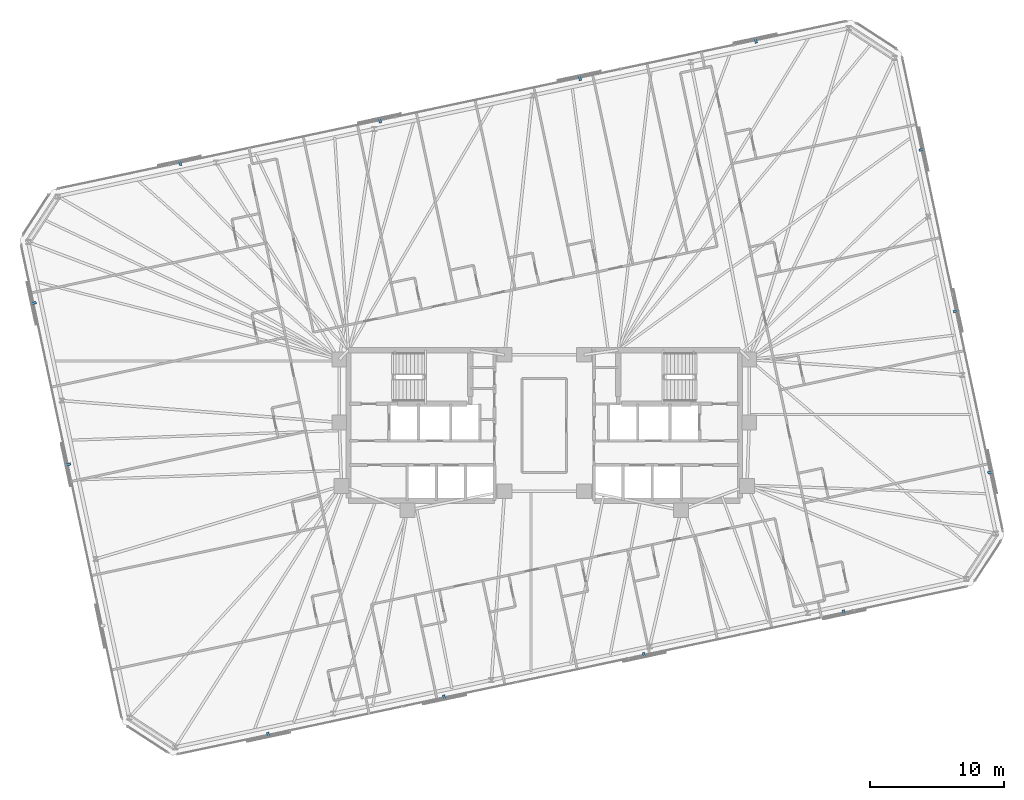
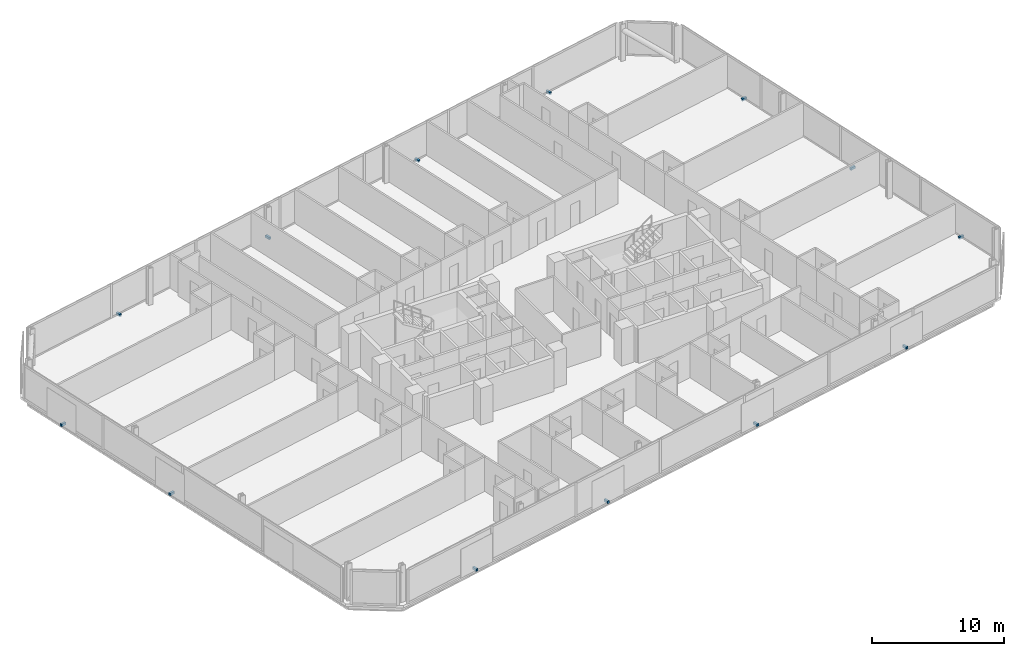
# One storey, part 20 of 21: 13 discrete accessories.
"""IFC4 building model written with IfcOpenShell, lengths in metres."""

from ifc_helpers import new_model, si_unit, direction, frame, origin, origin_2d, place, context, subcontext, project, spatial, rectangle, extrude, material, type_object, element, save


model = new_model("IFC4")

# Units and contexts
model_context = context("Model", 3, precision=1e-05, world=origin(), true_north=direction((0.0, 1.0)))
body_context = subcontext(model_context, "Body", "Model", "MODEL_VIEW")
ifc_project = project(units=[si_unit("LENGTHUNIT", "METRE"), si_unit("AREAUNIT", "SQUARE_METRE"), si_unit("VOLUMEUNIT", "CUBIC_METRE"), si_unit("PLANEANGLEUNIT", "RADIAN"), si_unit("MASSUNIT", "GRAM", prefix="KILO")], contexts=[model_context])

# Site, building, storey
site_placement = place(None, origin())
site = spatial("IfcSite", under=ifc_project, at=site_placement, CompositionType="ELEMENT")
building_placement = place(site_placement, origin())
building = spatial("IfcBuilding", under=site, at=building_placement, Name="Menara Jurai Vektor", CompositionType="ELEMENT")
storey_placement = place(building_placement, frame((0.0, 0.0, 165.0)))
storey = spatial("IfcBuildingStorey", under=building, at=storey_placement, Name="L42", CompositionType="ELEMENT", Elevation=165.0)

# Discrete accessories
ifc_material = material(Name="Steel S355", Category="steel")
discrete_accessory_type = type_object("IfcDiscreteAccessoryType", Name="ENV-ACC-BRACKET", PredefinedType="BRACKET", material=ifc_material)
for number, where, z_axis, x_axis, name in (
    (1, (-20.527099609375, -23.043701171875, -0.1298828125), (0.0, 0.0, 1.0), (0.978147600734, 0.207911690818, 0.0), "Solar Screen Stand-Off Bracket L42-S01"),
    (2, (-7.443115234375, -20.262451171875, -0.1298828125), (0.0, 0.0, 1.0), (0.978147600734, 0.207911690818, 0.0), "Solar Screen Stand-Off Bracket L42-S02"),
    (3, (7.424560546875, -17.102294921875, -0.1298828125), (0.0, 0.0, 1.0), (0.978147600734, 0.207911690818, 0.0), "Solar Screen Stand-Off Bracket L42-S03"),
    (4, (22.29248046875, -13.94189453125, -0.1298828125), (0.0, 0.0, 1.0), (0.978147600734, 0.207911690818, 0.0), "Solar Screen Stand-Off Bracket L42-S04"),
    (5, (33.19580078125, -3.491455078125, -0.1298828125), (0.0, 0.0, 1.0), (-0.207911690818, 0.978147600734, 0.0), "Solar Screen Stand-Off Bracket L42-S05"),
    (6, (30.6455078125, 8.50732421875, -0.1298828125), (0.0, 0.0, 1.0), (-0.207911690818, 0.978147600734, 0.0), "Solar Screen Stand-Off Bracket L42-S06"),
    (7, (28.09521484375, 20.505859375, -0.1298828125), (0.0, 0.0, 1.0), (-0.207911690818, 0.978147600734, 0.0), "Solar Screen Stand-Off Bracket L42-S07"),
    (8, (15.72705078125, 28.6435546875, -0.1298828125), (0.0, 0.0, 1.0), (-0.978147600734, -0.207911690818, 0.0), "Solar Screen Stand-Off Bracket L42-S08"),
    (9, (2.643310546875, 25.862548828125, -0.1298828125), (0.0, 0.0, 1.0), (-0.978147600734, -0.207911690818, 0.0), "Solar Screen Stand-Off Bracket L42-S09"),
    (10, (-12.224609375, 22.702392578125, -0.1298828125), (0.0, 0.0, 1.0), (-0.978147600734, -0.207911690818, 0.0), "Solar Screen Stand-Off Bracket L42-S10"),
    (11, (-27.092529296875, 19.5419921875, -0.1298828125), (0.0, 0.0, 1.0), (-0.978147600734, -0.207911690818, 0.0), "Solar Screen Stand-Off Bracket L42-S11"),
    (12, (-37.995849609375, 9.09130859375, -0.1298828125), (0.0, 0.0, 1.0), (0.207911690818, -0.978147600734, 0.0), "Solar Screen Stand-Off Bracket L42-S12"),
    (13, (-35.445556640625, -2.9072265625, -0.1298828125), (0.0, 0.0, 1.0), (0.207911690818, -0.978147600734, 0.0), "Solar Screen Stand-Off Bracket L42-S13"),
):
    element("IfcDiscreteAccessory", number, at=place(storey_placement, frame(where, z_axis=z_axis, x_axis=x_axis)), inside=storey, type_object=discrete_accessory_type, Name=name, PredefinedType="BRACKET", context=body_context, shape_type="SweptSolid", body=[
        extrude(rectangle(XDim=0.179931640625, YDim=0.43994140625, at=origin_2d()), origin(), (0.0, 0.0, 1.0), 0.219970703125),
    ])

save(model, "model.ifc")
